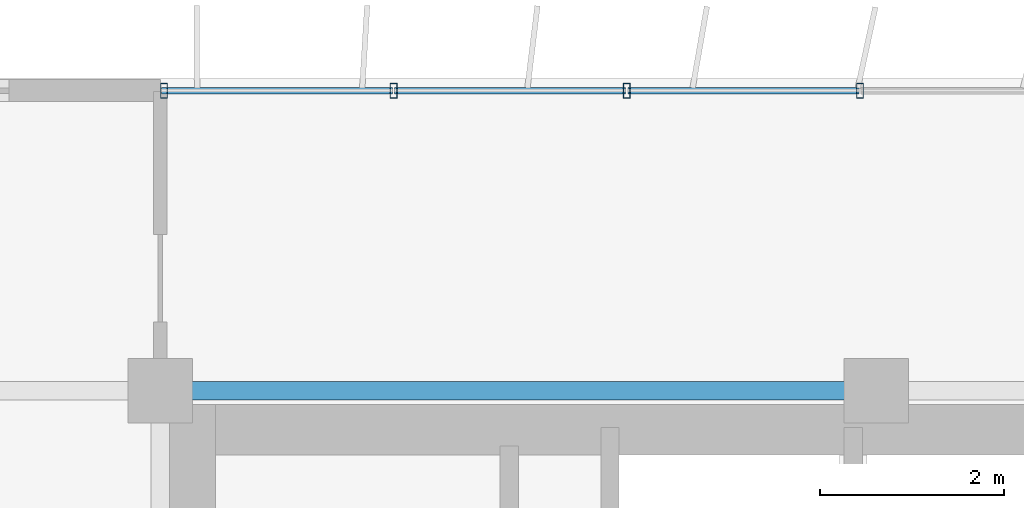
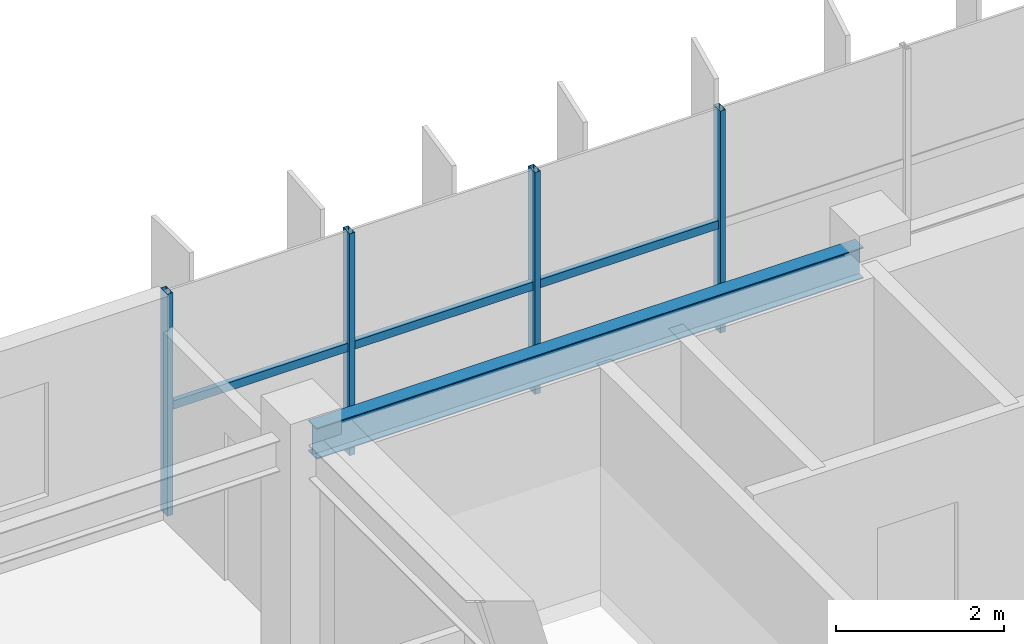
# One storey, part 10 of 27: 7 members, 1 beam, 1 element without a shape of its own.
"""IFC4 building model written with IfcOpenShell, lengths in metres."""

from ifc_helpers import new_model, si_unit, direction, frame, origin, origin_2d, place, context, subcontext, project, spatial, hollow_rectangle, i_section, extrude, source, transform, mapped, material, material_profile, profile_set, type_object, element, aggregate, save


model = new_model("IFC4")

# Units and contexts
model_context = context("Model", 3, precision=1e-05, world=origin(), true_north=direction((0.0, 1.0)))
body_context = subcontext(model_context, "Body", "Model", "MODEL_VIEW")
ifc_project = project(units=[si_unit("LENGTHUNIT", "METRE"), si_unit("AREAUNIT", "SQUARE_METRE"), si_unit("VOLUMEUNIT", "CUBIC_METRE"), si_unit("PLANEANGLEUNIT", "RADIAN"), si_unit("MASSUNIT", "GRAM", prefix="KILO")], contexts=[model_context])

# Site, building, storey
site_placement = place(None, origin())
site = spatial("IfcSite", under=ifc_project, at=site_placement, CompositionType="ELEMENT")
building_placement = place(site_placement, origin())
building = spatial("IfcBuilding", under=site, at=building_placement, Name="Trelvane Seafront Commons", CompositionType="ELEMENT")
storey_placement = place(building_placement, frame((0.0, 0.0, 237.300048828125)))
storey = spatial("IfcBuildingStorey", under=building, at=storey_placement, Name="L62", CompositionType="ELEMENT", Elevation=237.300048828125)

# Beam
ifc_material_1 = material(Name="Steel SM355 (S355)", Category="steel")
ifc_material_profile_1 = material_profile(ifc_material_1, i_section(OverallWidth=0.199951171875, OverallDepth=0.449951171875, WebThickness=0.009033203125, FlangeThickness=0.013916015625, at=origin_2d()), Name="H-450x200x9x14")
ifc_profile_set_1 = profile_set([ifc_material_profile_1], Name="Steel SM355 (S355)")
beam_type = type_object("IfcBeamType", Name="STR-SPD-H450", PredefinedType="SPANDREL", material=ifc_profile_set_1)
shared_shape_1 = source(origin(), body_context, "Body", "SweptSolid", [
    extrude(i_section(OverallWidth=0.199951171875, OverallDepth=0.449951171875, WebThickness=0.009033203125, FlangeThickness=0.013916015625, at=origin_2d()), origin(), (0.0, 0.0, 1.0), 7.5),
])
beam_placement = place(storey_placement, frame((15.75, 45.10009765625, 2.994873046875), z_axis=(1.0, 0.0, 0.0), x_axis=(0.0, 1.0, 0.0)))
element("IfcBeam", 1, at=beam_placement, inside=storey, type_object=beam_type, Name="L62 Primary Girder G-23", PredefinedType="SPANDREL", context=body_context, shape_type="MappedRepresentation", body=[
    mapped(shared_shape_1, transform((0.0, 0.0, 0.0), x_axis=(1.0, 0.0, 0.0), y_axis=(0.0, 1.0, 0.0), z_axis=(0.0, 0.0, 1.0), scale=1.0)),
])

# Curtain wall, members
ifc_material_2 = material(Name="Anodised pale-silver aluminium", Category="aluminium")
curtain_wall_type = type_object("IfcCurtainWallType", Name="ARCH-CW5-UPTOWER", PredefinedType="NOTDEFINED", material=ifc_material_2)
curtain_wall_placement = place(storey_placement, origin())
curtain_wall = element("IfcCurtainWall", 2, at=curtain_wall_placement, inside=storey, type_object=curtain_wall_type, Name="CW-L62-0106", PredefinedType="NOTDEFINED")
ifc_material_profile_2 = material_profile(ifc_material_2, hollow_rectangle(XDim=0.070068359375, YDim=0.1201171875, WallThickness=0.00390625, at=origin_2d()), Name="TRAN-70x120x4")
ifc_profile_set_2 = profile_set([ifc_material_profile_2], Name="Anodised pale-silver aluminium")
member_type_1 = type_object("IfcMemberType", Name="ARCH-CW-TRAN-120", PredefinedType="USERDEFINED", material=ifc_profile_set_2)
shared_shape_2 = source(origin(), body_context, "Body", "SweptSolid", [
    extrude(hollow_rectangle(XDim=0.070068359375, YDim=0.1201171875, WallThickness=0.00390625, at=origin_2d()), origin(), (0.0, 0.0, 1.0), 2.51708984375),
])
member_1_placement = place(storey_placement, frame((15.612060546875, 48.3701171875, 1.5458984375), z_axis=(1.0, 0.0, 0.0), x_axis=(0.0, 1.0, 0.0)))
member_1 = element("IfcMember", 3, at=member_1_placement, type_object=member_type_1, Name="CW-L62-0106-T00", ObjectType="TRANSOM", PredefinedType="USERDEFINED", context=body_context, shape_type="MappedRepresentation", body=[
    mapped(shared_shape_2, transform((0.0, 0.0, 0.0), x_axis=(1.0, 0.0, 0.0), y_axis=(0.0, 1.0, 0.0), z_axis=(0.0, 0.0, 1.0), scale=1.0)),
])
member_2_placement = place(storey_placement, frame((18.1533203125, 48.3701171875, 1.5458984375), z_axis=(1.0, 0.0, 0.0), x_axis=(0.0, 1.0, 0.0)))
member_2 = element("IfcMember", 4, at=member_2_placement, type_object=member_type_1, Name="CW-L62-0106-T01", ObjectType="TRANSOM", PredefinedType="USERDEFINED", context=body_context, shape_type="MappedRepresentation", body=[
    mapped(shared_shape_2, transform((0.0, 0.0, 0.0), x_axis=(1.0, 0.0, 0.0), y_axis=(0.0, 1.0, 0.0), z_axis=(0.0, 0.0, 1.0), scale=1.0)),
])
member_3_placement = place(storey_placement, frame((20.6943359375, 48.3701171875, 1.5458984375), z_axis=(1.0, 0.0, 0.0), x_axis=(0.0, 1.0, 0.0)))
member_3 = element("IfcMember", 5, at=member_3_placement, type_object=member_type_1, Name="CW-L62-0106-T02", ObjectType="TRANSOM", PredefinedType="USERDEFINED", context=body_context, shape_type="MappedRepresentation", body=[
    mapped(shared_shape_2, transform((0.0, 0.0, 0.0), x_axis=(1.0, 0.0, 0.0), y_axis=(0.0, 1.0, 0.0), z_axis=(0.0, 0.0, 1.0), scale=1.0)),
])
ifc_material_profile_3 = material_profile(ifc_material_2, hollow_rectangle(XDim=0.074951171875, YDim=0.159912109375, WallThickness=0.00390625, at=origin_2d()), Name="MULL-75x160x4")
ifc_profile_set_3 = profile_set([ifc_material_profile_3], Name="Anodised pale-silver aluminium")
member_type_2 = type_object("IfcMemberType", Name="ARCH-CW-MULL-160", PredefinedType="MULLION", material=ifc_profile_set_3)
shared_shape_3 = source(origin(), body_context, "Body", "SweptSolid", [
    extrude(hollow_rectangle(XDim=0.074951171875, YDim=0.159912109375, WallThickness=0.00390625, at=origin_2d()), origin(), (0.0, 0.0, 1.0), 3.219970703125),
])
member_4_placement = place(storey_placement, frame((15.639892578125, 48.3701171875, 0.0), z_axis=(0.0, 0.0, 1.0), x_axis=(1.0, 0.0, 0.0)))
member_4 = element("IfcMember", 6, at=member_4_placement, type_object=member_type_2, Name="CW-L62-0106-M00", PredefinedType="MULLION", context=body_context, shape_type="MappedRepresentation", body=[
    mapped(shared_shape_3, transform((0.0, 0.0, 0.0), x_axis=(1.0, 0.0, 0.0), y_axis=(0.0, 1.0, 0.0), z_axis=(0.0, 0.0, 1.0), scale=1.0)),
])
member_5_placement = place(storey_placement, frame((18.14111328125, 48.3701171875, 0.0), z_axis=(0.0, 0.0, 1.0), x_axis=(1.0, 0.0, 0.0)))
member_5 = element("IfcMember", 7, at=member_5_placement, type_object=member_type_2, Name="CW-L62-0106-M01", PredefinedType="MULLION", context=body_context, shape_type="MappedRepresentation", body=[
    mapped(shared_shape_3, transform((0.0, 0.0, 0.0), x_axis=(1.0, 0.0, 0.0), y_axis=(0.0, 1.0, 0.0), z_axis=(0.0, 0.0, 1.0), scale=1.0)),
])
member_6_placement = place(storey_placement, frame((20.682373046875, 48.3701171875, 0.0), z_axis=(0.0, 0.0, 1.0), x_axis=(1.0, 0.0, 0.0)))
member_6 = element("IfcMember", 8, at=member_6_placement, type_object=member_type_2, Name="CW-L62-0106-M02", PredefinedType="MULLION", context=body_context, shape_type="MappedRepresentation", body=[
    mapped(shared_shape_3, transform((0.0, 0.0, 0.0), x_axis=(1.0, 0.0, 0.0), y_axis=(0.0, 1.0, 0.0), z_axis=(0.0, 0.0, 1.0), scale=1.0)),
])
member_7_placement = place(storey_placement, frame((23.223388671875, 48.3701171875, 0.0), z_axis=(0.0, 0.0, 1.0), x_axis=(1.0, 0.0, 0.0)))
member_7 = element("IfcMember", 9, at=member_7_placement, type_object=member_type_2, Name="CW-L62-0106-M03", PredefinedType="MULLION", context=body_context, shape_type="MappedRepresentation", body=[
    mapped(shared_shape_3, transform((0.0, 0.0, 0.0), x_axis=(1.0, 0.0, 0.0), y_axis=(0.0, 1.0, 0.0), z_axis=(0.0, 0.0, 1.0), scale=1.0)),
])
aggregate(curtain_wall, [member_4, member_5, member_6, member_7, member_1, member_2, member_3])

save(model, "model.ifc")
